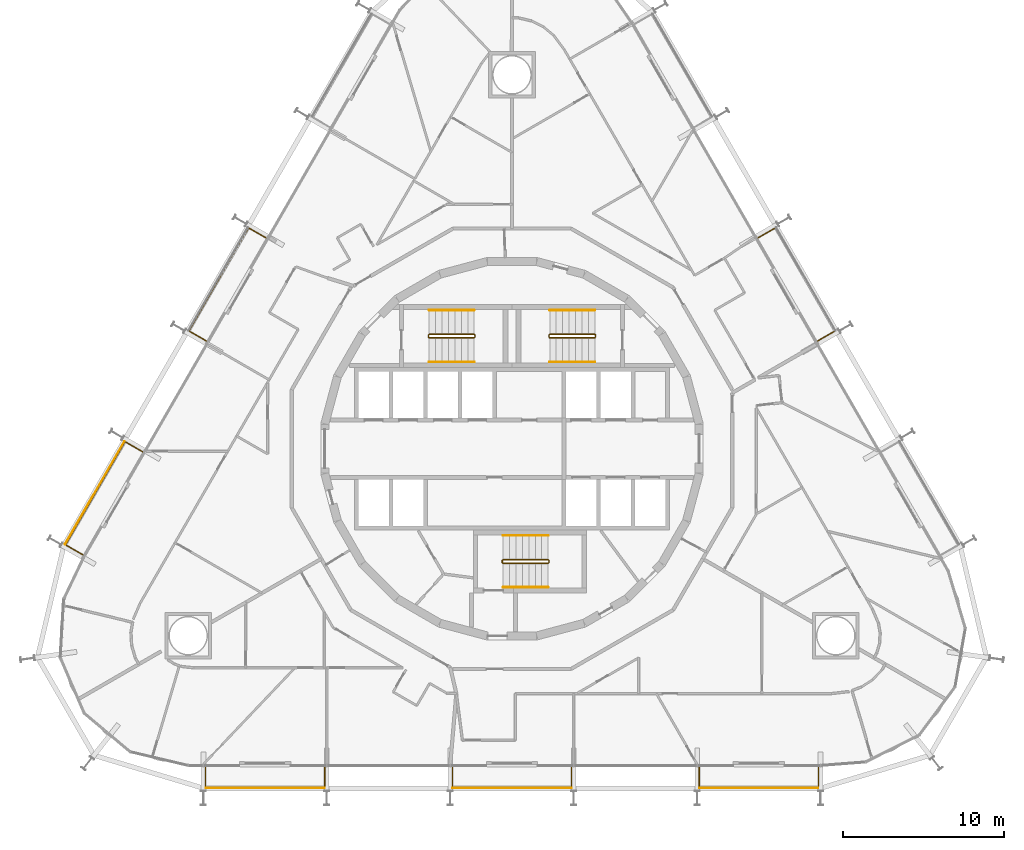
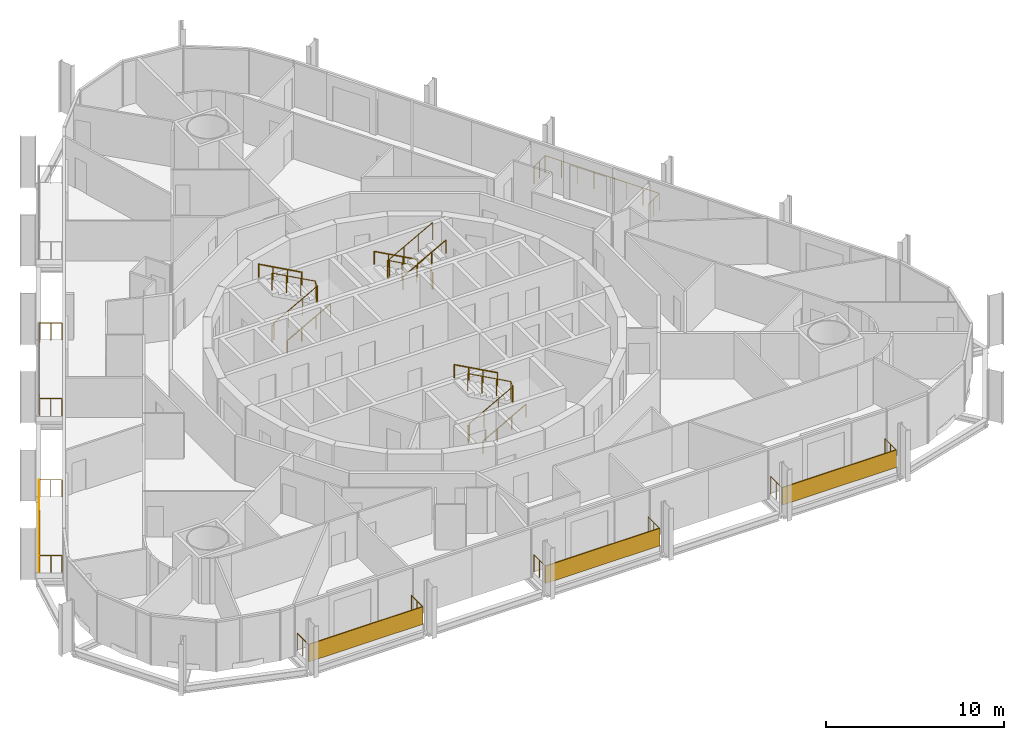
# One storey, part 20 of 21: 15 railings, 4 shading devices.
"""IFC4 building model written with IfcOpenShell, lengths in metres."""

from ifc_helpers import new_model, si_unit, direction, frame, origin, origin_2d, place, context, subcontext, project, spatial, rectangle, circle, extrude, material, layer, layer_set, type_object, element, save


model = new_model("IFC4")

# Units and contexts
model_context = context("Model", 3, precision=1e-05, world=origin(), true_north=direction((0.0, 1.0)))
body_context = subcontext(model_context, "Body", "Model", "MODEL_VIEW")
ifc_project = project(units=[si_unit("LENGTHUNIT", "METRE"), si_unit("AREAUNIT", "SQUARE_METRE"), si_unit("VOLUMEUNIT", "CUBIC_METRE"), si_unit("PLANEANGLEUNIT", "RADIAN"), si_unit("MASSUNIT", "GRAM", prefix="KILO")], contexts=[model_context])

# Site, building, storey
site_placement = place(None, origin())
site = spatial("IfcSite", under=ifc_project, at=site_placement, CompositionType="ELEMENT")
building_placement = place(site_placement, origin())
building = spatial("IfcBuilding", under=site, at=building_placement, Name="Spindle Arch Residences", CompositionType="ELEMENT")
storey_placement = place(building_placement, frame((0.0, 0.0, 62.89990234375)))
storey = spatial("IfcBuildingStorey", under=building, at=storey_placement, Name="L14", CompositionType="ELEMENT", Elevation=62.89990234375)

# Railings
ifc_material_1 = material(Name="Bronze anodised aluminium guard with glass infill", Category="aluminium")
railing_type_1 = type_object("IfcRailingType", Name="Balcony guard 1200", PredefinedType="GUARDRAIL", material=ifc_material_1)
railing_1_placement = place(storey_placement, frame((11.655029296875, -19.81982421875, 0.0)))
element("IfcRailing", 1, at=railing_1_placement, inside=storey, type_object=railing_type_1, Name="Guard L14 bay 2", PredefinedType="GUARDRAIL", context=body_context, shape_type="SweptSolid", body=[
    extrude(circle(Radius=0.02392578125, at=origin_2d()), frame((0.0, 0.0, 1.17578125), z_axis=(0.0, -1.0, 0.0), x_axis=(1.0, 0.0, 0.0)), (0.0, 0.0, 1.0), 1.25),
    extrude(circle(Radius=0.02392578125, at=origin_2d()), frame((0.0, -1.25, 1.17578125), z_axis=(1.0, 0.0, 0.0), x_axis=(0.0, 1.0, 0.0)), (0.0, 0.0, 1.0), 7.41015625),
    extrude(circle(Radius=0.02392578125, at=origin_2d()), frame((7.41015625, -1.25, 1.17578125), z_axis=(0.0, 1.0, 0.0), x_axis=(-1.0, 0.0, 0.0)), (0.0, 0.0, 1.0), 1.25),
    extrude(circle(Radius=0.02099609375, at=origin_2d()), origin(), (0.0, 0.0, 1.0), 1.15185546875),
    extrude(circle(Radius=0.02099609375, at=origin_2d()), frame((0.0, -0.625, 0.0)), (0.0, 0.0, 1.0), 1.15185546875),
    extrude(circle(Radius=0.02099609375, at=origin_2d()), frame((0.0, -1.25, 0.0)), (0.0, 0.0, 1.0), 1.15185546875),
    extrude(circle(Radius=0.02099609375, at=origin_2d()), frame((1.05859375, -1.25, 0.0)), (0.0, 0.0, 1.0), 1.15185546875),
    extrude(circle(Radius=0.02099609375, at=origin_2d()), frame((2.1171875, -1.25, 0.0)), (0.0, 0.0, 1.0), 1.15185546875),
    extrude(circle(Radius=0.02099609375, at=origin_2d()), frame((3.17578125, -1.25, 0.0)), (0.0, 0.0, 1.0), 1.15185546875),
    extrude(circle(Radius=0.02099609375, at=origin_2d()), frame((4.234375, -1.25, 0.0)), (0.0, 0.0, 1.0), 1.15185546875),
    extrude(circle(Radius=0.02099609375, at=origin_2d()), frame((5.29296875, -1.25, 0.0)), (0.0, 0.0, 1.0), 1.15185546875),
    extrude(circle(Radius=0.02099609375, at=origin_2d()), frame((6.3515625, -1.25, 0.0)), (0.0, 0.0, 1.0), 1.15185546875),
    extrude(circle(Radius=0.02099609375, at=origin_2d()), frame((7.41015625, -1.25, 0.0)), (0.0, 0.0, 1.0), 1.15185546875),
    extrude(circle(Radius=0.02099609375, at=origin_2d()), frame((7.41015625, -0.625, 0.0)), (0.0, 0.0, 1.0), 1.15185546875),
    extrude(circle(Radius=0.02099609375, at=origin_2d()), frame((7.41015625, 0.0, 0.0)), (0.0, 0.0, 1.0), 1.15185546875),
])
railing_2_placement = place(storey_placement, frame((19.01708984375, 6.701416015625, 0.0)))
element("IfcRailing", 2, at=railing_2_placement, inside=storey, type_object=railing_type_1, Name="Guard L14 bay 8", PredefinedType="GUARDRAIL", context=body_context, shape_type="SweptSolid", body=[
    extrude(circle(Radius=0.02392578125, at=origin_2d()), frame((0.0, 0.0, 1.17578125), z_axis=(0.866022959057, 0.500004234368, 0.0), x_axis=(-0.500004234368, 0.866022959057, 0.0)), (0.0, 0.0, 1.0), 1.25),
    extrude(circle(Radius=0.02392578125, at=origin_2d()), frame((1.08251953125, 0.625, 1.17578125), z_axis=(-0.500008603535, 0.866020436474, 0.0), x_axis=(-0.866020436474, -0.500008603535, 0.0)), (0.0, 0.0, 1.0), 7.409912109375),
    extrude(circle(Radius=0.02392578125, at=origin_2d()), frame((-2.62255859375, 7.042236328125, 1.17578125), z_axis=(-0.866022959057, -0.500004234368, 0.0), x_axis=(0.500004234368, -0.866022959057, 0.0)), (0.0, 0.0, 1.0), 1.25),
    extrude(circle(Radius=0.02099609375, at=origin_2d()), origin(), (0.0, 0.0, 1.0), 1.15185546875),
    extrude(circle(Radius=0.02099609375, at=origin_2d()), frame((0.541259765625, 0.3125, 0.0)), (0.0, 0.0, 1.0), 1.15185546875),
    extrude(circle(Radius=0.02099609375, at=origin_2d()), frame((1.08251953125, 0.625, 0.0)), (0.0, 0.0, 1.0), 1.15185546875),
    extrude(circle(Radius=0.02099609375, at=origin_2d()), frame((0.55322265625, 1.541748046875, 0.0)), (0.0, 0.0, 1.0), 1.15185546875),
    extrude(circle(Radius=0.02099609375, at=origin_2d()), frame((0.02392578125, 2.45849609375, 0.0)), (0.0, 0.0, 1.0), 1.15185546875),
    extrude(circle(Radius=0.02099609375, at=origin_2d()), frame((-0.50537109375, 3.375244140625, 0.0)), (0.0, 0.0, 1.0), 1.15185546875),
    extrude(circle(Radius=0.02099609375, at=origin_2d()), frame((-1.03466796875, 4.2919921875, 0.0)), (0.0, 0.0, 1.0), 1.15185546875),
    extrude(circle(Radius=0.02099609375, at=origin_2d()), frame((-1.56396484375, 5.208740234375, 0.0)), (0.0, 0.0, 1.0), 1.15185546875),
    extrude(circle(Radius=0.02099609375, at=origin_2d()), frame((-2.09326171875, 6.12548828125, 0.0)), (0.0, 0.0, 1.0), 1.15185546875),
    extrude(circle(Radius=0.02099609375, at=origin_2d()), frame((-2.62255859375, 7.042236328125, 0.0)), (0.0, 0.0, 1.0), 1.15185546875),
    extrude(circle(Radius=0.02099609375, at=origin_2d()), frame((-3.163818359375, 6.729736328125, 0.0)), (0.0, 0.0, 1.0), 1.15185546875),
    extrude(circle(Radius=0.02099609375, at=origin_2d()), frame((-3.705078125, 6.417236328125, 0.0)), (0.0, 0.0, 1.0), 1.15185546875),
])
railing_3_placement = place(storey_placement, frame((-15.31201171875, 13.11865234375, 0.0)))
element("IfcRailing", 3, at=railing_3_placement, inside=storey, type_object=railing_type_1, Name="Guard L14 bay 16", PredefinedType="GUARDRAIL", context=body_context, shape_type="SweptSolid", body=[
    extrude(circle(Radius=0.02392578125, at=origin_2d()), frame((0.0, 0.0, 1.17578125), z_axis=(-0.866022959057, 0.500004234368, 0.0), x_axis=(-0.500004234368, -0.866022959057, 0.0)), (0.0, 0.0, 1.0), 1.25),
    extrude(circle(Radius=0.02392578125, at=origin_2d()), frame((-1.08251953125, 0.625, 1.17578125), z_axis=(-0.500008603535, -0.866020436474, 0.0), x_axis=(0.866020436474, -0.500008603535, 0.0)), (0.0, 0.0, 1.0), 7.409912109375),
    extrude(circle(Radius=0.02392578125, at=origin_2d()), frame((-4.78759765625, -5.792236328125, 1.17578125), z_axis=(0.866022959057, -0.500004234368, 0.0), x_axis=(0.500004234368, 0.866022959057, 0.0)), (0.0, 0.0, 1.0), 1.25),
    extrude(circle(Radius=0.02099609375, at=origin_2d()), origin(), (0.0, 0.0, 1.0), 1.15185546875),
    extrude(circle(Radius=0.02099609375, at=origin_2d()), frame((-0.541259765625, 0.3125, 0.0)), (0.0, 0.0, 1.0), 1.15185546875),
    extrude(circle(Radius=0.02099609375, at=origin_2d()), frame((-1.08251953125, 0.625, 0.0)), (0.0, 0.0, 1.0), 1.15185546875),
    extrude(circle(Radius=0.02099609375, at=origin_2d()), frame((-1.61181640625, -0.291748046875, 0.0)), (0.0, 0.0, 1.0), 1.15185546875),
    extrude(circle(Radius=0.02099609375, at=origin_2d()), frame((-2.14111328125, -1.20849609375, 0.0)), (0.0, 0.0, 1.0), 1.15185546875),
    extrude(circle(Radius=0.02099609375, at=origin_2d()), frame((-2.67041015625, -2.125244140625, 0.0)), (0.0, 0.0, 1.0), 1.15185546875),
    extrude(circle(Radius=0.02099609375, at=origin_2d()), frame((-3.19970703125, -3.0419921875, 0.0)), (0.0, 0.0, 1.0), 1.15185546875),
    extrude(circle(Radius=0.02099609375, at=origin_2d()), frame((-3.72900390625, -3.958740234375, 0.0)), (0.0, 0.0, 1.0), 1.15185546875),
    extrude(circle(Radius=0.02099609375, at=origin_2d()), frame((-4.25830078125, -4.87548828125, 0.0)), (0.0, 0.0, 1.0), 1.15185546875),
    extrude(circle(Radius=0.02099609375, at=origin_2d()), frame((-4.78759765625, -5.792236328125, 0.0)), (0.0, 0.0, 1.0), 1.15185546875),
    extrude(circle(Radius=0.02099609375, at=origin_2d()), frame((-4.246337890625, -6.104736328125, 0.0)), (0.0, 0.0, 1.0), 1.15185546875),
    extrude(circle(Radius=0.02099609375, at=origin_2d()), frame((-3.705078125, -6.417236328125, 0.0)), (0.0, 0.0, 1.0), 1.15185546875),
])
railing_4_placement = place(storey_placement, frame((-22.9921875, -0.18359375, 0.0)))
element("IfcRailing", 4, at=railing_4_placement, inside=storey, type_object=railing_type_1, Name="Guard L14 bay 18", PredefinedType="GUARDRAIL", context=body_context, shape_type="SweptSolid", body=[
    extrude(circle(Radius=0.02392578125, at=origin_2d()), frame((0.0, 0.0, 1.17578125), z_axis=(-0.866022959057, 0.500004234368, 0.0), x_axis=(-0.500004234368, -0.866022959057, 0.0)), (0.0, 0.0, 1.0), 1.25),
    extrude(circle(Radius=0.02392578125, at=origin_2d()), frame((-1.08251953125, 0.625, 1.17578125), z_axis=(-0.499994337101, -0.866028673236, 0.0), x_axis=(0.866028673236, -0.499994337101, 0.0)), (0.0, 0.0, 1.0), 7.41015625),
    extrude(circle(Radius=0.02392578125, at=origin_2d()), frame((-4.78759765625, -5.79248046875, 1.17578125), z_axis=(0.866071776036, -0.499919672301, 0.0), x_axis=(0.499919672301, 0.866071776036, 0.0)), (0.0, 0.0, 1.0), 1.250244140625),
    extrude(circle(Radius=0.02099609375, at=origin_2d()), origin(), (0.0, 0.0, 1.0), 1.15185546875),
    extrude(circle(Radius=0.02099609375, at=origin_2d()), frame((-0.541259765625, 0.3125, 0.0)), (0.0, 0.0, 1.0), 1.15185546875),
    extrude(circle(Radius=0.02099609375, at=origin_2d()), frame((-1.08251953125, 0.625, 0.0)), (0.0, 0.0, 1.0), 1.15185546875),
    extrude(circle(Radius=0.02099609375, at=origin_2d()), frame((-1.61181640625, -0.291748046875, 0.0)), (0.0, 0.0, 1.0), 1.15185546875),
    extrude(circle(Radius=0.02099609375, at=origin_2d()), frame((-2.14111328125, -1.20849609375, 0.0)), (0.0, 0.0, 1.0), 1.15185546875),
    extrude(circle(Radius=0.02099609375, at=origin_2d()), frame((-2.67041015625, -2.125244140625, 0.0)), (0.0, 0.0, 1.0), 1.15185546875),
    extrude(circle(Radius=0.02099609375, at=origin_2d()), frame((-3.19970703125, -3.042236328125, 0.0)), (0.0, 0.0, 1.0), 1.15185546875),
    extrude(circle(Radius=0.02099609375, at=origin_2d()), frame((-3.72900390625, -3.958984375, 0.0)), (0.0, 0.0, 1.0), 1.15185546875),
    extrude(circle(Radius=0.02099609375, at=origin_2d()), frame((-4.25830078125, -4.875732421875, 0.0)), (0.0, 0.0, 1.0), 1.15185546875),
    extrude(circle(Radius=0.02099609375, at=origin_2d()), frame((-4.78759765625, -5.79248046875, 0.0)), (0.0, 0.0, 1.0), 1.15185546875),
    extrude(circle(Radius=0.02099609375, at=origin_2d()), frame((-4.24609375, -6.10498046875, 0.0)), (0.0, 0.0, 1.0), 1.15185546875),
    extrude(circle(Radius=0.02099609375, at=origin_2d()), frame((-3.704833984375, -6.41748046875, 0.0)), (0.0, 0.0, 1.0), 1.15185546875),
])
railing_5_placement = place(storey_placement, frame((-19.065185546875, -19.81982421875, 0.0)))
element("IfcRailing", 5, at=railing_5_placement, inside=storey, type_object=railing_type_1, Name="Guard L14 bay 22", PredefinedType="GUARDRAIL", context=body_context, shape_type="SweptSolid", body=[
    extrude(circle(Radius=0.02392578125, at=origin_2d()), frame((0.0, 0.0, 1.17578125), z_axis=(0.0, -1.0, 0.0), x_axis=(1.0, 0.0, 0.0)), (0.0, 0.0, 1.0), 1.25),
    extrude(circle(Radius=0.02392578125, at=origin_2d()), frame((0.0, -1.25, 1.17578125), z_axis=(1.0, 0.0, 0.0), x_axis=(0.0, 1.0, 0.0)), (0.0, 0.0, 1.0), 7.41015625),
    extrude(circle(Radius=0.02392578125, at=origin_2d()), frame((7.41015625, -1.25, 1.17578125), z_axis=(0.0, 1.0, 0.0), x_axis=(-1.0, 0.0, 0.0)), (0.0, 0.0, 1.0), 1.25),
    extrude(circle(Radius=0.02099609375, at=origin_2d()), origin(), (0.0, 0.0, 1.0), 1.15185546875),
    extrude(circle(Radius=0.02099609375, at=origin_2d()), frame((0.0, -0.625, 0.0)), (0.0, 0.0, 1.0), 1.15185546875),
    extrude(circle(Radius=0.02099609375, at=origin_2d()), frame((0.0, -1.25, 0.0)), (0.0, 0.0, 1.0), 1.15185546875),
    extrude(circle(Radius=0.02099609375, at=origin_2d()), frame((1.05859375, -1.25, 0.0)), (0.0, 0.0, 1.0), 1.15185546875),
    extrude(circle(Radius=0.02099609375, at=origin_2d()), frame((2.1171875, -1.25, 0.0)), (0.0, 0.0, 1.0), 1.15185546875),
    extrude(circle(Radius=0.02099609375, at=origin_2d()), frame((3.17578125, -1.25, 0.0)), (0.0, 0.0, 1.0), 1.15185546875),
    extrude(circle(Radius=0.02099609375, at=origin_2d()), frame((4.234375, -1.25, 0.0)), (0.0, 0.0, 1.0), 1.15185546875),
    extrude(circle(Radius=0.02099609375, at=origin_2d()), frame((5.29296875, -1.25, 0.0)), (0.0, 0.0, 1.0), 1.15185546875),
    extrude(circle(Radius=0.02099609375, at=origin_2d()), frame((6.3515625, -1.25, 0.0)), (0.0, 0.0, 1.0), 1.15185546875),
    extrude(circle(Radius=0.02099609375, at=origin_2d()), frame((7.41015625, -1.25, 0.0)), (0.0, 0.0, 1.0), 1.15185546875),
    extrude(circle(Radius=0.02099609375, at=origin_2d()), frame((7.41015625, -0.625, 0.0)), (0.0, 0.0, 1.0), 1.15185546875),
    extrude(circle(Radius=0.02099609375, at=origin_2d()), frame((7.41015625, 0.0, 0.0)), (0.0, 0.0, 1.0), 1.15185546875),
])
railing_6_placement = place(storey_placement, frame((-3.705078125, -19.81982421875, 0.0)))
element("IfcRailing", 6, at=railing_6_placement, inside=storey, type_object=railing_type_1, Name="Guard L14 bay 24", PredefinedType="GUARDRAIL", context=body_context, shape_type="SweptSolid", body=[
    extrude(circle(Radius=0.02392578125, at=origin_2d()), frame((0.0, 0.0, 1.17578125), z_axis=(0.0, -1.0, 0.0), x_axis=(1.0, 0.0, 0.0)), (0.0, 0.0, 1.0), 1.25),
    extrude(circle(Radius=0.02392578125, at=origin_2d()), frame((0.0, -1.25, 1.17578125), z_axis=(1.0, 0.0, 0.0), x_axis=(0.0, 1.0, 0.0)), (0.0, 0.0, 1.0), 7.41015625),
    extrude(circle(Radius=0.02392578125, at=origin_2d()), frame((7.41015625, -1.25, 1.17578125), z_axis=(0.0, 1.0, 0.0), x_axis=(-1.0, 0.0, 0.0)), (0.0, 0.0, 1.0), 1.25),
    extrude(circle(Radius=0.02099609375, at=origin_2d()), origin(), (0.0, 0.0, 1.0), 1.15185546875),
    extrude(circle(Radius=0.02099609375, at=origin_2d()), frame((0.0, -0.625, 0.0)), (0.0, 0.0, 1.0), 1.15185546875),
    extrude(circle(Radius=0.02099609375, at=origin_2d()), frame((0.0, -1.25, 0.0)), (0.0, 0.0, 1.0), 1.15185546875),
    extrude(circle(Radius=0.02099609375, at=origin_2d()), frame((1.05859375, -1.25, 0.0)), (0.0, 0.0, 1.0), 1.15185546875),
    extrude(circle(Radius=0.02099609375, at=origin_2d()), frame((2.1171875, -1.25, 0.0)), (0.0, 0.0, 1.0), 1.15185546875),
    extrude(circle(Radius=0.02099609375, at=origin_2d()), frame((3.17578125, -1.25, 0.0)), (0.0, 0.0, 1.0), 1.15185546875),
    extrude(circle(Radius=0.02099609375, at=origin_2d()), frame((4.234375, -1.25, 0.0)), (0.0, 0.0, 1.0), 1.15185546875),
    extrude(circle(Radius=0.02099609375, at=origin_2d()), frame((5.29296875, -1.25, 0.0)), (0.0, 0.0, 1.0), 1.15185546875),
    extrude(circle(Radius=0.02099609375, at=origin_2d()), frame((6.3515625, -1.25, 0.0)), (0.0, 0.0, 1.0), 1.15185546875),
    extrude(circle(Radius=0.02099609375, at=origin_2d()), frame((7.41015625, -1.25, 0.0)), (0.0, 0.0, 1.0), 1.15185546875),
    extrude(circle(Radius=0.02099609375, at=origin_2d()), frame((7.41015625, -0.625, 0.0)), (0.0, 0.0, 1.0), 1.15185546875),
    extrude(circle(Radius=0.02099609375, at=origin_2d()), frame((7.41015625, 0.0, 0.0)), (0.0, 0.0, 1.0), 1.15185546875),
])

# Shading devices
ifc_material_2 = material(Name="Bronze perforated cobogo screen")
ifc_layer = layer(ifc_material_2, 0.0390625)
ifc_layer_set = layer_set([ifc_layer], Name="Cobogo screen 1200")
shading_device_type = type_object("IfcShadingDeviceType", Name="Cobogo screen 1200", PredefinedType="USERDEFINED", material=ifc_layer_set)
for number, where, z_axis, x_axis, name in (
    (7, (15.360107421875, -21.1103515625, 0.0), (0.0, 0.0, 1.0), (1.0, 0.0, 0.0), "Cobogo screen L14 bay 2"),
    (8, (-25.962158203125, -2.7470703125, 0.0), (0.0, 0.0, 1.0), (-0.5, -0.866025403784, 0.0), "Cobogo screen L14 bay 18"),
    (9, (-15.360107421875, -21.1103515625, 0.0), (0.0, 0.0, 1.0), (1.0, 0.0, 0.0), "Cobogo screen L14 bay 22"),
    (10, (0.0, -21.1103515625, 0.0), (0.0, 0.0, 1.0), (1.0, 0.0, 0.0), "Cobogo screen L14 bay 24"),
):
    element("IfcShadingDevice", number, at=place(storey_placement, frame(where, z_axis=z_axis, x_axis=x_axis)), inside=storey, type_object=shading_device_type, Name=name, ObjectType="SCREEN", PredefinedType="USERDEFINED", context=body_context, shape_type="SweptSolid", body=[
        extrude(rectangle(XDim=7.41015625, YDim=0.0390625, at=origin_2d()), origin(), (0.0, 0.0, 1.0), 1.199951171875),
    ])

# Railings
ifc_material_3 = material(Name="Steel, painted", Category="steel")
railing_type_2 = type_object("IfcRailingType", Name="Stair guard 1100", PredefinedType="GUARDRAIL", material=ifc_material_3)
railing_7_placement = place(storey_placement, frame((5.14990234375, 6.89990234375, 3.5)))
element("IfcRailing", 11, at=railing_7_placement, inside=storey, type_object=railing_type_2, Name="L14 ST1 stair guard 1", PredefinedType="GUARDRAIL", context=body_context, shape_type="SweptSolid", body=[
    extrude(circle(Radius=0.02392578125, at=origin_2d()), frame((0.0, 0.0, 1.17578125), z_axis=(-0.877357048833, 0.0, -0.479838106931), x_axis=(0.0, -1.0, 0.0)), (0.0, 0.0, 1.0), 3.191162109375),
    extrude(circle(Radius=0.02392578125, at=origin_2d()), frame((-2.7998046875, 0.0, -0.35546875), z_axis=(-0.217683172539, 0.217683172539, -0.951434744366), x_axis=(-0.707106781187, -0.707106781187, 0.0)), (0.0, 0.0, 1.0), 0.22998046875),
    extrude(circle(Radius=0.02392578125, at=origin_2d()), frame((-2.849853515625, 0.050048828125, -0.57421875), z_axis=(0.0, 1.0, 0.0), x_axis=(-1.0, 0.0, 0.0)), (0.0, 0.0, 1.0), 0.1201171875),
    extrude(circle(Radius=0.02392578125, at=origin_2d()), frame((-2.849853515625, 0.170166015625, -0.57421875), z_axis=(0.707106781187, 0.707106781187, 0.0), x_axis=(-0.707106781187, 0.707106781187, 0.0)), (0.0, 0.0, 1.0), 0.07080078125),
    extrude(circle(Radius=0.02392578125, at=origin_2d()), frame((-2.7998046875, 0.22021484375, -0.57421875), z_axis=(0.877357048833, 0.0, -0.479838106931), x_axis=(0.0, 1.0, 0.0)), (0.0, 0.0, 1.0), 3.191162109375),
    extrude(circle(Radius=0.02392578125, at=origin_2d()), frame((0.0, 0.22021484375, -2.10546875), z_axis=(0.217683172539, -0.217683172539, -0.951434744366), x_axis=(0.707106781187, 0.707106781187, 0.0)), (0.0, 0.0, 1.0), 0.22998046875),
    extrude(circle(Radius=0.02392578125, at=origin_2d()), frame((0.050048828125, 0.170166015625, -2.32421875), z_axis=(0.0, -1.0, 0.0), x_axis=(1.0, 0.0, 0.0)), (0.0, 0.0, 1.0), 0.1201171875),
    extrude(circle(Radius=0.02099609375, at=origin_2d()), origin(), (0.0, 0.0, 1.0), 1.15185546875),
    extrude(circle(Radius=0.02099609375, at=origin_2d()), frame((-0.933349609375, 0.0, -0.510498046875)), (0.0, 0.0, 1.0), 1.15185546875),
    extrude(circle(Radius=0.02099609375, at=origin_2d()), frame((-1.866455078125, 0.0, -1.020751953125)), (0.0, 0.0, 1.0), 1.15185546875),
    extrude(circle(Radius=0.02099609375, at=origin_2d()), frame((-2.7998046875, 0.0, -1.53125)), (0.0, 0.0, 1.0), 1.15185546875),
    extrude(circle(Radius=0.02099609375, at=origin_2d()), frame((-2.849853515625, 0.050048828125, -1.75)), (0.0, 0.0, 1.0), 1.15185546875),
    extrude(circle(Radius=0.02099609375, at=origin_2d()), frame((-2.849853515625, 0.170166015625, -1.75)), (0.0, 0.0, 1.0), 1.15185546875),
    extrude(circle(Radius=0.02099609375, at=origin_2d()), frame((-2.7998046875, 0.22021484375, -1.75)), (0.0, 0.0, 1.0), 1.15185546875),
    extrude(circle(Radius=0.02099609375, at=origin_2d()), frame((-1.866455078125, 0.22021484375, -2.260498046875)), (0.0, 0.0, 1.0), 1.15185546875),
    extrude(circle(Radius=0.02099609375, at=origin_2d()), frame((-0.933349609375, 0.22021484375, -2.770751953125)), (0.0, 0.0, 1.0), 1.15185546875),
    extrude(circle(Radius=0.02099609375, at=origin_2d()), frame((0.0, 0.22021484375, -3.28125)), (0.0, 0.0, 1.0), 1.15185546875),
    extrude(circle(Radius=0.02099609375, at=origin_2d()), frame((0.050048828125, 0.170166015625, -3.5)), (0.0, 0.0, 1.0), 1.15185546875),
    extrude(circle(Radius=0.02099609375, at=origin_2d()), frame((0.050048828125, 0.050048828125, -3.5)), (0.0, 0.0, 1.0), 1.15185546875),
])
railing_8_placement = place(storey_placement, frame((-5.14990234375, 7.1201171875, 3.5)))
element("IfcRailing", 12, at=railing_8_placement, inside=storey, type_object=railing_type_2, Name="L14 ST2 stair guard 1", PredefinedType="GUARDRAIL", context=body_context, shape_type="SweptSolid", body=[
    extrude(circle(Radius=0.02392578125, at=origin_2d()), frame((0.0, 0.0, 1.17578125), z_axis=(0.877357048833, 0.0, -0.479838106931), x_axis=(0.0, 1.0, 0.0)), (0.0, 0.0, 1.0), 3.191162109375),
    extrude(circle(Radius=0.02392578125, at=origin_2d()), frame((2.7998046875, 0.0, -0.35546875), z_axis=(0.217683172539, -0.217683172539, -0.951434744366), x_axis=(0.707106781187, 0.707106781187, 0.0)), (0.0, 0.0, 1.0), 0.22998046875),
    extrude(circle(Radius=0.02392578125, at=origin_2d()), frame((2.849853515625, -0.050048828125, -0.57421875), z_axis=(0.0, -1.0, 0.0), x_axis=(1.0, 0.0, 0.0)), (0.0, 0.0, 1.0), 0.1201171875),
    extrude(circle(Radius=0.02392578125, at=origin_2d()), frame((2.849853515625, -0.170166015625, -0.57421875), z_axis=(-0.707106781187, -0.707106781187, 0.0), x_axis=(0.707106781187, -0.707106781187, 0.0)), (0.0, 0.0, 1.0), 0.07080078125),
    extrude(circle(Radius=0.02392578125, at=origin_2d()), frame((2.7998046875, -0.22021484375, -0.57421875), z_axis=(-0.877357048833, 0.0, -0.479838106931), x_axis=(0.0, -1.0, 0.0)), (0.0, 0.0, 1.0), 3.191162109375),
    extrude(circle(Radius=0.02392578125, at=origin_2d()), frame((0.0, -0.22021484375, -2.10546875), z_axis=(-0.217683172539, 0.217683172539, -0.951434744366), x_axis=(-0.707106781187, -0.707106781187, 0.0)), (0.0, 0.0, 1.0), 0.22998046875),
    extrude(circle(Radius=0.02392578125, at=origin_2d()), frame((-0.050048828125, -0.170166015625, -2.32421875), z_axis=(0.0, 1.0, 0.0), x_axis=(-1.0, 0.0, 0.0)), (0.0, 0.0, 1.0), 0.1201171875),
    extrude(circle(Radius=0.02099609375, at=origin_2d()), origin(), (0.0, 0.0, 1.0), 1.15185546875),
    extrude(circle(Radius=0.02099609375, at=origin_2d()), frame((0.933349609375, 0.0, -0.510498046875)), (0.0, 0.0, 1.0), 1.15185546875),
    extrude(circle(Radius=0.02099609375, at=origin_2d()), frame((1.866455078125, 0.0, -1.020751953125)), (0.0, 0.0, 1.0), 1.15185546875),
    extrude(circle(Radius=0.02099609375, at=origin_2d()), frame((2.7998046875, 0.0, -1.53125)), (0.0, 0.0, 1.0), 1.15185546875),
    extrude(circle(Radius=0.02099609375, at=origin_2d()), frame((2.849853515625, -0.050048828125, -1.75)), (0.0, 0.0, 1.0), 1.15185546875),
    extrude(circle(Radius=0.02099609375, at=origin_2d()), frame((2.849853515625, -0.170166015625, -1.75)), (0.0, 0.0, 1.0), 1.15185546875),
    extrude(circle(Radius=0.02099609375, at=origin_2d()), frame((2.7998046875, -0.22021484375, -1.75)), (0.0, 0.0, 1.0), 1.15185546875),
    extrude(circle(Radius=0.02099609375, at=origin_2d()), frame((1.866455078125, -0.22021484375, -2.260498046875)), (0.0, 0.0, 1.0), 1.15185546875),
    extrude(circle(Radius=0.02099609375, at=origin_2d()), frame((0.933349609375, -0.22021484375, -2.770751953125)), (0.0, 0.0, 1.0), 1.15185546875),
    extrude(circle(Radius=0.02099609375, at=origin_2d()), frame((0.0, -0.22021484375, -3.28125)), (0.0, 0.0, 1.0), 1.15185546875),
    extrude(circle(Radius=0.02099609375, at=origin_2d()), frame((-0.050048828125, -0.170166015625, -3.5)), (0.0, 0.0, 1.0), 1.15185546875),
    extrude(circle(Radius=0.02099609375, at=origin_2d()), frame((-0.050048828125, -0.050048828125, -3.5)), (0.0, 0.0, 1.0), 1.15185546875),
])
railing_9_placement = place(storey_placement, frame((-0.550048828125, -6.89990234375, 3.5)))
element("IfcRailing", 13, at=railing_9_placement, inside=storey, type_object=railing_type_2, Name="L14 ST3 stair guard 1", PredefinedType="GUARDRAIL", context=body_context, shape_type="SweptSolid", body=[
    extrude(circle(Radius=0.02392578125, at=origin_2d()), frame((0.0, 0.0, 1.17578125), z_axis=(0.877374661878, 0.0, -0.479805901063), x_axis=(0.0, 1.0, 0.0)), (0.0, 0.0, 1.0), 3.19140625),
    extrude(circle(Radius=0.02392578125, at=origin_2d()), frame((2.800048828125, 0.0, -0.35546875), z_axis=(0.217683172539, -0.217683172539, -0.951434744366), x_axis=(0.707106781187, 0.707106781187, 0.0)), (0.0, 0.0, 1.0), 0.22998046875),
    extrude(circle(Radius=0.02392578125, at=origin_2d()), frame((2.85009765625, -0.050048828125, -0.57421875), z_axis=(0.0, -1.0, 0.0), x_axis=(1.0, 0.0, 0.0)), (0.0, 0.0, 1.0), 0.1201171875),
    extrude(circle(Radius=0.02392578125, at=origin_2d()), frame((2.85009765625, -0.170166015625, -0.57421875), z_axis=(-0.707106781187, -0.707106781187, 0.0), x_axis=(0.707106781187, -0.707106781187, 0.0)), (0.0, 0.0, 1.0), 0.07080078125),
    extrude(circle(Radius=0.02392578125, at=origin_2d()), frame((2.800048828125, -0.22021484375, -0.57421875), z_axis=(-0.877374661878, 0.0, -0.479805901063), x_axis=(0.0, -1.0, 0.0)), (0.0, 0.0, 1.0), 3.19140625),
    extrude(circle(Radius=0.02392578125, at=origin_2d()), frame((0.0, -0.22021484375, -2.10546875), z_axis=(-0.217683172539, 0.217683172539, -0.951434744366), x_axis=(-0.707106781187, -0.707106781187, 0.0)), (0.0, 0.0, 1.0), 0.22998046875),
    extrude(circle(Radius=0.02392578125, at=origin_2d()), frame((-0.050048828125, -0.170166015625, -2.32421875), z_axis=(0.0, 1.0, 0.0), x_axis=(-1.0, 0.0, 0.0)), (0.0, 0.0, 1.0), 0.1201171875),
    extrude(circle(Radius=0.02099609375, at=origin_2d()), origin(), (0.0, 0.0, 1.0), 1.15185546875),
    extrude(circle(Radius=0.02099609375, at=origin_2d()), frame((0.933349609375, 0.0, -0.510498046875)), (0.0, 0.0, 1.0), 1.15185546875),
    extrude(circle(Radius=0.02099609375, at=origin_2d()), frame((1.86669921875, 0.0, -1.020751953125)), (0.0, 0.0, 1.0), 1.15185546875),
    extrude(circle(Radius=0.02099609375, at=origin_2d()), frame((2.800048828125, 0.0, -1.53125)), (0.0, 0.0, 1.0), 1.15185546875),
    extrude(circle(Radius=0.02099609375, at=origin_2d()), frame((2.85009765625, -0.050048828125, -1.75)), (0.0, 0.0, 1.0), 1.15185546875),
    extrude(circle(Radius=0.02099609375, at=origin_2d()), frame((2.85009765625, -0.170166015625, -1.75)), (0.0, 0.0, 1.0), 1.15185546875),
    extrude(circle(Radius=0.02099609375, at=origin_2d()), frame((2.800048828125, -0.22021484375, -1.75)), (0.0, 0.0, 1.0), 1.15185546875),
    extrude(circle(Radius=0.02099609375, at=origin_2d()), frame((1.86669921875, -0.22021484375, -2.260498046875)), (0.0, 0.0, 1.0), 1.15185546875),
    extrude(circle(Radius=0.02099609375, at=origin_2d()), frame((0.933349609375, -0.22021484375, -2.770751953125)), (0.0, 0.0, 1.0), 1.15185546875),
    extrude(circle(Radius=0.02099609375, at=origin_2d()), frame((0.0, -0.22021484375, -3.28125)), (0.0, 0.0, 1.0), 1.15185546875),
    extrude(circle(Radius=0.02099609375, at=origin_2d()), frame((-0.050048828125, -0.170166015625, -3.5)), (0.0, 0.0, 1.0), 1.15185546875),
    extrude(circle(Radius=0.02099609375, at=origin_2d()), frame((-0.050048828125, -0.050048828125, -3.5)), (0.0, 0.0, 1.0), 1.15185546875),
])
ifc_material_4 = material(Name="Steel, painted", Category="steel")
railing_type_3 = type_object("IfcRailingType", Name="Stair handrail 900", PredefinedType="HANDRAIL", material=ifc_material_4)
railing_10_placement = place(storey_placement, frame((5.14990234375, 8.6201171875, 0.21875)))
element("IfcRailing", 14, at=railing_10_placement, inside=storey, type_object=railing_type_3, Name="L14 ST1 stair handrail 1", PredefinedType="HANDRAIL", context=body_context, shape_type="SweptSolid", body=[
    extrude(circle(Radius=0.02392578125, at=origin_2d()), frame((0.0, 0.0, 0.8759765625), z_axis=(-0.877357048833, 0.0, 0.479838106931), x_axis=(0.0, -1.0, 0.0)), (0.0, 0.0, 1.0), 3.191162109375),
    extrude(circle(Radius=0.02099609375, at=origin_2d()), origin(), (0.0, 0.0, 1.0), 0.851806640625),
    extrude(circle(Radius=0.02099609375, at=origin_2d()), frame((-0.933349609375, 0.0, 0.510498046875)), (0.0, 0.0, 1.0), 0.851806640625),
    extrude(circle(Radius=0.02099609375, at=origin_2d()), frame((-1.866455078125, 0.0, 1.020751953125)), (0.0, 0.0, 1.0), 0.851806640625),
    extrude(circle(Radius=0.02099609375, at=origin_2d()), frame((-2.7998046875, 0.0, 1.53125)), (0.0, 0.0, 1.0), 0.851806640625),
])
for number, where, name in (
    (15, (2.35009765625, 5.39990234375, 1.96875), "L14 ST1 stair handrail 2"),
    (16, (-5.14990234375, 5.39990234375, 0.21875), "L14 ST2 stair handrail 1"),
):
    element("IfcRailing", number, at=place(storey_placement, frame(where)), inside=storey, type_object=railing_type_3, Name=name, PredefinedType="HANDRAIL", context=body_context, shape_type="SweptSolid", body=[
        extrude(circle(Radius=0.02392578125, at=origin_2d()), frame((0.0, 0.0, 0.8759765625), z_axis=(0.877357048833, 0.0, 0.479838106931), x_axis=(0.0, 1.0, 0.0)), (0.0, 0.0, 1.0), 3.191162109375),
        extrude(circle(Radius=0.02099609375, at=origin_2d()), origin(), (0.0, 0.0, 1.0), 0.851806640625),
        extrude(circle(Radius=0.02099609375, at=origin_2d()), frame((0.933349609375, 0.0, 0.510498046875)), (0.0, 0.0, 1.0), 0.851806640625),
        extrude(circle(Radius=0.02099609375, at=origin_2d()), frame((1.866455078125, 0.0, 1.020751953125)), (0.0, 0.0, 1.0), 0.851806640625),
        extrude(circle(Radius=0.02099609375, at=origin_2d()), frame((2.7998046875, 0.0, 1.53125)), (0.0, 0.0, 1.0), 0.851806640625),
    ])
railing_11_placement = place(storey_placement, frame((-2.35009765625, 8.6201171875, 1.96875)))
element("IfcRailing", 17, at=railing_11_placement, inside=storey, type_object=railing_type_3, Name="L14 ST2 stair handrail 2", PredefinedType="HANDRAIL", context=body_context, shape_type="SweptSolid", body=[
    extrude(circle(Radius=0.02392578125, at=origin_2d()), frame((0.0, 0.0, 0.8759765625), z_axis=(-0.877357048833, 0.0, 0.479838106931), x_axis=(0.0, -1.0, 0.0)), (0.0, 0.0, 1.0), 3.191162109375),
    extrude(circle(Radius=0.02099609375, at=origin_2d()), origin(), (0.0, 0.0, 1.0), 0.851806640625),
    extrude(circle(Radius=0.02099609375, at=origin_2d()), frame((-0.933349609375, 0.0, 0.510498046875)), (0.0, 0.0, 1.0), 0.851806640625),
    extrude(circle(Radius=0.02099609375, at=origin_2d()), frame((-1.866455078125, 0.0, 1.020751953125)), (0.0, 0.0, 1.0), 0.851806640625),
    extrude(circle(Radius=0.02099609375, at=origin_2d()), frame((-2.7998046875, 0.0, 1.53125)), (0.0, 0.0, 1.0), 0.851806640625),
])
railing_12_placement = place(storey_placement, frame((-0.550048828125, -8.6201171875, 0.21875)))
element("IfcRailing", 18, at=railing_12_placement, inside=storey, type_object=railing_type_3, Name="L14 ST3 stair handrail 1", PredefinedType="HANDRAIL", context=body_context, shape_type="SweptSolid", body=[
    extrude(circle(Radius=0.02392578125, at=origin_2d()), frame((0.0, 0.0, 0.8759765625), z_axis=(0.877374661878, 0.0, 0.479805901063), x_axis=(0.0, 1.0, 0.0)), (0.0, 0.0, 1.0), 3.19140625),
    extrude(circle(Radius=0.02099609375, at=origin_2d()), origin(), (0.0, 0.0, 1.0), 0.851806640625),
    extrude(circle(Radius=0.02099609375, at=origin_2d()), frame((0.933349609375, 0.0, 0.510498046875)), (0.0, 0.0, 1.0), 0.851806640625),
    extrude(circle(Radius=0.02099609375, at=origin_2d()), frame((1.86669921875, 0.0, 1.020751953125)), (0.0, 0.0, 1.0), 0.851806640625),
    extrude(circle(Radius=0.02099609375, at=origin_2d()), frame((2.800048828125, 0.0, 1.53125)), (0.0, 0.0, 1.0), 0.851806640625),
])
railing_13_placement = place(storey_placement, frame((2.25, -5.39990234375, 1.96875)))
element("IfcRailing", 19, at=railing_13_placement, inside=storey, type_object=railing_type_3, Name="L14 ST3 stair handrail 2", PredefinedType="HANDRAIL", context=body_context, shape_type="SweptSolid", body=[
    extrude(circle(Radius=0.02392578125, at=origin_2d()), frame((0.0, 0.0, 0.8759765625), z_axis=(-0.877374661878, 0.0, 0.479805901063), x_axis=(0.0, -1.0, 0.0)), (0.0, 0.0, 1.0), 3.19140625),
    extrude(circle(Radius=0.02099609375, at=origin_2d()), origin(), (0.0, 0.0, 1.0), 0.851806640625),
    extrude(circle(Radius=0.02099609375, at=origin_2d()), frame((-0.933349609375, 0.0, 0.510498046875)), (0.0, 0.0, 1.0), 0.851806640625),
    extrude(circle(Radius=0.02099609375, at=origin_2d()), frame((-1.86669921875, 0.0, 1.020751953125)), (0.0, 0.0, 1.0), 0.851806640625),
    extrude(circle(Radius=0.02099609375, at=origin_2d()), frame((-2.800048828125, 0.0, 1.53125)), (0.0, 0.0, 1.0), 0.851806640625),
])

save(model, "model.ifc")
